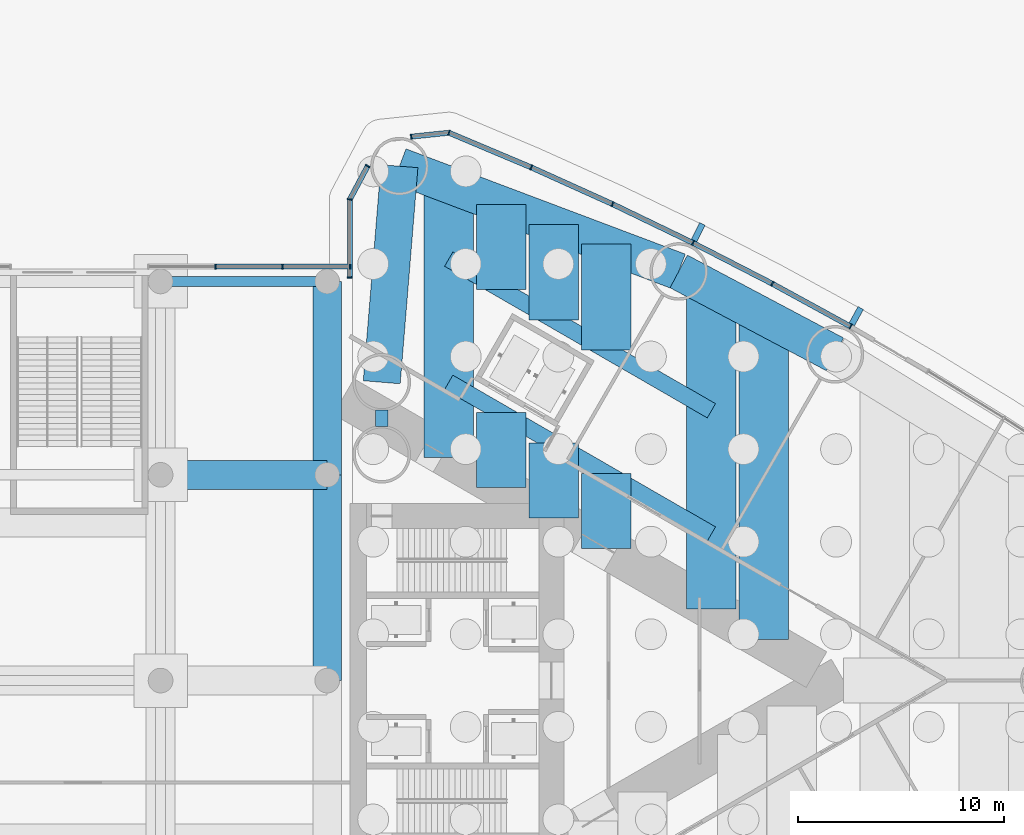
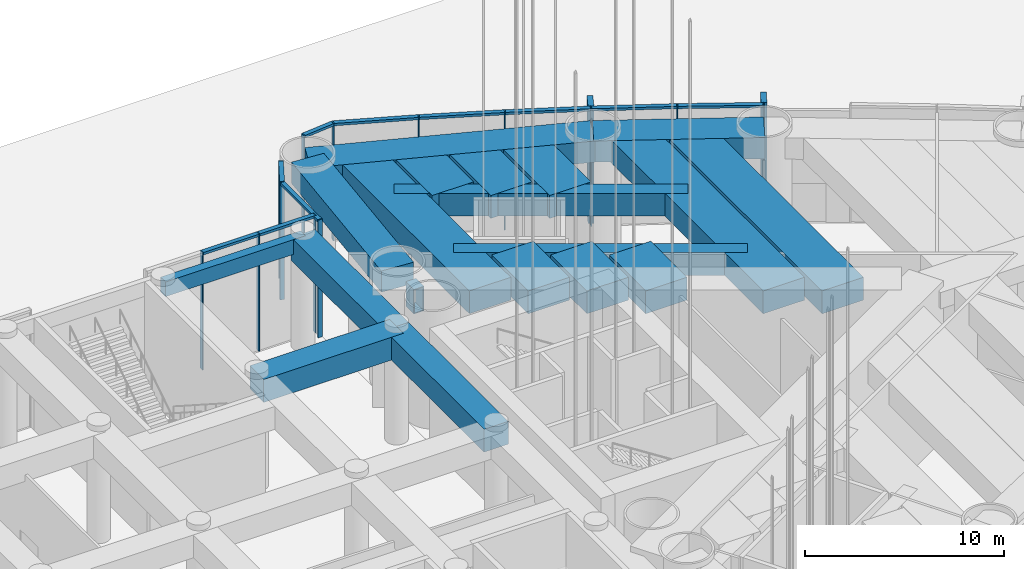
# One storey, part 15 of 43: 25 members, 19 beams, 3 elements without a shape of their own.
"""IFC4 building model written with IfcOpenShell, lengths in metres."""

from ifc_helpers import new_model, si_unit, direction, frame, origin, origin_2d, place, context, subcontext, project, spatial, rectangle, hollow_rectangle, extrude, material, material_profile, profile_set, type_object, element, aggregate, save


model = new_model("IFC4")

# Units and contexts
model_context = context("Model", 3, precision=1e-05, world=origin(), true_north=direction((0.0, 1.0)))
body_context = subcontext(model_context, "Body", "Model", "MODEL_VIEW")
ifc_project = project(units=[si_unit("LENGTHUNIT", "METRE"), si_unit("AREAUNIT", "SQUARE_METRE"), si_unit("VOLUMEUNIT", "CUBIC_METRE"), si_unit("PLANEANGLEUNIT", "RADIAN"), si_unit("MASSUNIT", "GRAM", prefix="KILO")], contexts=[model_context])

# Site, building, storey
site_placement = place(None, origin())
site = spatial("IfcSite", under=ifc_project, at=site_placement, CompositionType="ELEMENT")
building_placement = place(site_placement, origin())
building = spatial("IfcBuilding", under=site, at=building_placement, Name="Lancet Gate Hotel", CompositionType="ELEMENT")
storey_placement = place(building_placement, origin())
storey = spatial("IfcBuildingStorey", under=building, at=storey_placement, Name="L00", CompositionType="ELEMENT", Elevation=0.0)

# Curtain wall, members
ifc_material_1 = material(Name="Aluminium curtain wall", Category="aluminium")
curtain_wall_type = type_object("IfcCurtainWallType", Name="Podium curtain wall", PredefinedType="USERDEFINED", material=ifc_material_1)
curtain_wall_1_placement = place(storey_placement, origin())
curtain_wall_1 = element("IfcCurtainWall", 1, at=curtain_wall_1_placement, inside=storey, type_object=curtain_wall_type, Name="T2 L00 curtain wall 5", ObjectType="UNITISED CURTAIN WALL", PredefinedType="USERDEFINED")
ifc_material_2 = material(Name="Aluminium mullion", Category="aluminium")
ifc_material_profile_1 = material_profile(ifc_material_2, rectangle(XDim=0.06494140625, YDim=0.25, at=origin_2d()), Name="MULLION 65x250")
ifc_profile_set_1 = profile_set([ifc_material_profile_1], Name="Aluminium mullion")
member_type_1 = type_object("IfcMemberType", Name="Aluminium mullion 65x250", PredefinedType="MULLION", material=ifc_profile_set_1)
member_1_placement = place(storey_placement, frame((51.838623046875, 17.208740234375, 0.0), z_axis=(0.0, 0.0, 1.0), x_axis=(-0.877368015134, 0.47981805512, 0.0)))
member_1 = element("IfcMember", 2, at=member_1_placement, type_object=member_type_1, Name="T2 L00 curtain wall 5 mullion 1", PredefinedType="MULLION", context=body_context, shape_type="SweptSolid", body=[
    extrude(rectangle(XDim=0.06494140625, YDim=0.25, at=origin_2d()), origin(), (0.0, 0.0, 1.0), 7.199951171875),
])
member_2_placement = place(storey_placement, frame((48.03271484375, 19.2900390625, 0.0), z_axis=(0.0, 0.0, 1.0), x_axis=(-0.88340346743, 0.468613181347, 0.0)))
member_2 = element("IfcMember", 3, at=member_2_placement, type_object=member_type_1, Name="T2 L00 curtain wall 5 mullion 2", PredefinedType="MULLION", context=body_context, shape_type="SweptSolid", body=[
    extrude(rectangle(XDim=0.06494140625, YDim=0.25, at=origin_2d()), origin(), (0.0, 0.0, 1.0), 7.199951171875),
])
member_3_placement = place(storey_placement, frame((44.17529296875, 21.273681640625, 0.0), z_axis=(0.0, 0.0, 1.0), x_axis=(-0.895044147438, 0.445977548917, 0.0)))
member_3 = element("IfcMember", 4, at=member_3_placement, type_object=member_type_1, Name="T2 L00 curtain wall 5 mullion 3", PredefinedType="MULLION", context=body_context, shape_type="SweptSolid", body=[
    extrude(rectangle(XDim=0.06494140625, YDim=0.25, at=origin_2d()), origin(), (0.0, 0.0, 1.0), 7.199951171875),
])
member_4_placement = place(storey_placement, frame((40.2685546875, 23.15869140625, 0.0), z_axis=(0.0, 0.0, 1.0), x_axis=(-0.906104948671, 0.423052977762, 0.0)))
member_4 = element("IfcMember", 5, at=member_4_placement, type_object=member_type_1, Name="T2 L00 curtain wall 5 mullion 4", PredefinedType="MULLION", context=body_context, shape_type="SweptSolid", body=[
    extrude(rectangle(XDim=0.06494140625, YDim=0.25, at=origin_2d()), origin(), (0.0, 0.0, 1.0), 7.199951171875),
])
member_5_placement = place(storey_placement, frame((36.31494140625, 24.943603515625, 0.0), z_axis=(0.0, 0.0, 1.0), x_axis=(-0.916578705089, 0.399854320193, 0.0)))
member_5 = element("IfcMember", 6, at=member_5_placement, type_object=member_type_1, Name="T2 L00 curtain wall 5 mullion 5", PredefinedType="MULLION", context=body_context, shape_type="SweptSolid", body=[
    extrude(rectangle(XDim=0.06494140625, YDim=0.25, at=origin_2d()), origin(), (0.0, 0.0, 1.0), 7.199951171875),
])
member_6_placement = place(storey_placement, frame((32.3173828125, 26.62744140625, 0.0), z_axis=(0.0, 0.0, 1.0), x_axis=(-0.968721492963, 0.248150496819, 0.0)))
member_6 = element("IfcMember", 7, at=member_6_placement, type_object=member_type_1, Name="T2 L00 curtain wall 5 mullion 6", PredefinedType="MULLION", context=body_context, shape_type="SweptSolid", body=[
    extrude(rectangle(XDim=0.06494140625, YDim=0.25, at=origin_2d()), origin(), (0.0, 0.0, 1.0), 7.199951171875),
])
member_7_placement = place(storey_placement, frame((30.48388671875, 26.4375, 0.0), z_axis=(0.0, 0.0, 1.0), x_axis=(-0.994672262412, -0.10308778001, 0.0)))
member_7 = element("IfcMember", 8, at=member_7_placement, type_object=member_type_1, Name="T2 L00 curtain wall 5 mullion 7", PredefinedType="MULLION", context=body_context, shape_type="SweptSolid", body=[
    extrude(rectangle(XDim=0.06494140625, YDim=0.25, at=origin_2d()), origin(), (0.0, 0.0, 1.0), 7.199951171875),
])

curtain_wall_2_placement = place(storey_placement, origin())
curtain_wall_2 = element("IfcCurtainWall", 9, at=curtain_wall_2_placement, inside=storey, type_object=curtain_wall_type, Name="T2 L00 curtain wall 6", ObjectType="UNITISED CURTAIN WALL", PredefinedType="USERDEFINED")
member_8_placement = place(storey_placement, frame((28.366455078125, 25.012451171875, 0.0), z_axis=(0.0, 0.0, 1.0), x_axis=(-0.469897827284, -0.882720811987, 0.0)))
member_8 = element("IfcMember", 10, at=member_8_placement, type_object=member_type_1, Name="T2 L00 curtain wall 6 mullion 1", PredefinedType="MULLION", context=body_context, shape_type="SweptSolid", body=[
    extrude(rectangle(XDim=0.06494140625, YDim=0.25, at=origin_2d()), origin(), (0.0, 0.0, 1.0), 7.199951171875),
])
member_9_placement = place(storey_placement, frame((27.5, 23.384765625, 0.0), z_axis=(0.0, 0.0, 1.0), x_axis=(-0.157751691459, -0.987478811844, 0.0)))
member_9 = element("IfcMember", 11, at=member_9_placement, type_object=member_type_1, Name="T2 L00 curtain wall 6 mullion 2", PredefinedType="MULLION", context=body_context, shape_type="SweptSolid", body=[
    extrude(rectangle(XDim=0.06494140625, YDim=0.25, at=origin_2d()), origin(), (0.0, 0.0, 1.0), 7.199951171875),
])
member_10_placement = place(storey_placement, frame((27.5, 19.588623046875, 0.0), z_axis=(0.0, 0.0, 1.0), x_axis=(0.0, -1.0, 0.0)))
member_10 = element("IfcMember", 12, at=member_10_placement, type_object=member_type_1, Name="T2 L00 curtain wall 6 mullion 3", PredefinedType="MULLION", context=body_context, shape_type="SweptSolid", body=[
    extrude(rectangle(XDim=0.06494140625, YDim=0.25, at=origin_2d()), origin(), (0.0, 0.0, 1.0), 7.199951171875),
])

curtain_wall_3_placement = place(storey_placement, origin())
curtain_wall_3 = element("IfcCurtainWall", 13, at=curtain_wall_3_placement, inside=storey, type_object=curtain_wall_type, Name="Podium L00 curtain wall N4", ObjectType="UNITISED CURTAIN WALL", PredefinedType="USERDEFINED")
member_11_placement = place(storey_placement, frame((27.5, 20.1201171875, 0.0), z_axis=(0.0, 0.0, 1.0), x_axis=(-1.0, 0.0, 0.0)))
member_11 = element("IfcMember", 14, at=member_11_placement, type_object=member_type_1, Name="Podium L00 curtain wall N4 mullion 1", PredefinedType="MULLION", context=body_context, shape_type="SweptSolid", body=[
    extrude(rectangle(XDim=0.06494140625, YDim=0.25, at=origin_2d()), origin(), (0.0, 0.0, 1.0), 7.199951171875),
])
member_12_placement = place(storey_placement, frame((24.2333984375, 20.1201171875, 0.0), z_axis=(0.0, 0.0, 1.0), x_axis=(-1.0, 0.0, 0.0)))
member_12 = element("IfcMember", 15, at=member_12_placement, type_object=member_type_1, Name="Podium L00 curtain wall N4 mullion 2", PredefinedType="MULLION", context=body_context, shape_type="SweptSolid", body=[
    extrude(rectangle(XDim=0.06494140625, YDim=0.25, at=origin_2d()), origin(), (0.0, 0.0, 1.0), 7.199951171875),
])
member_13_placement = place(storey_placement, frame((20.966552734375, 20.1201171875, 0.0), z_axis=(0.0, 0.0, 1.0), x_axis=(-1.0, 0.0, 0.0)))
member_13 = element("IfcMember", 16, at=member_13_placement, type_object=member_type_1, Name="Podium L00 curtain wall N4 mullion 3", PredefinedType="MULLION", context=body_context, shape_type="SweptSolid", body=[
    extrude(rectangle(XDim=0.06494140625, YDim=0.25, at=origin_2d()), origin(), (0.0, 0.0, 1.0), 7.199951171875),
])

# Member
ifc_material_3 = material(Name="Aluminium transom", Category="aluminium")
ifc_material_profile_2 = material_profile(ifc_material_3, rectangle(XDim=0.25, YDim=0.14990234375, at=origin_2d()), Name="TRANSOM 250x150")
ifc_profile_set_2 = profile_set([ifc_material_profile_2], Name="Aluminium transom")
member_type_2 = type_object("IfcMemberType", Name="Aluminium transom 250x150", PredefinedType="USERDEFINED", material=ifc_profile_set_2)
member_14_placement = place(storey_placement, frame((51.81005859375, 17.224365234375, 7.125), z_axis=(-0.877377528879, 0.479800658417, 0.0), x_axis=(-0.479800658417, -0.877377528879, 0.0)))
member_14 = element("IfcMember", 17, at=member_14_placement, type_object=member_type_2, Name="T2 L00 curtain wall 5 transom 1", ObjectType="TRANSOM", PredefinedType="USERDEFINED", context=body_context, shape_type="SweptSolid", body=[
    extrude(rectangle(XDim=0.25, YDim=0.14990234375, at=origin_2d()), origin(), (0.0, 0.0, 1.0), 4.272705078125),
])

member_15_placement = place(storey_placement, frame((48.00390625, 19.304931640625, 7.125), z_axis=(-0.88929576978, 0.457332520002, 0.0), x_axis=(-0.457332520002, -0.88929576978, 0.0)))
member_15 = element("IfcMember", 18, at=member_15_placement, type_object=member_type_2, Name="T2 L00 curtain wall 5 transom 2", ObjectType="TRANSOM", PredefinedType="USERDEFINED", context=body_context, shape_type="SweptSolid", body=[
    extrude(rectangle(XDim=0.25, YDim=0.14990234375, at=origin_2d()), origin(), (0.0, 0.0, 1.0), 4.272705078125),
])

member_16_placement = place(storey_placement, frame((44.14599609375, 21.287841796875, 7.125), z_axis=(-0.900646499888, 0.434552508035, 0.0), x_axis=(-0.434552508035, -0.900646499888, 0.0)))
member_16 = element("IfcMember", 19, at=member_16_placement, type_object=member_type_2, Name="T2 L00 curtain wall 5 transom 3", ObjectType="TRANSOM", PredefinedType="USERDEFINED", context=body_context, shape_type="SweptSolid", body=[
    extrude(rectangle(XDim=0.25, YDim=0.14990234375, at=origin_2d()), origin(), (0.0, 0.0, 1.0), 4.272705078125),
])

member_17_placement = place(storey_placement, frame((40.23876953125, 23.172119140625, 7.125), z_axis=(-0.911396871737, 0.411528543589, 0.0), x_axis=(-0.411528543589, -0.911396871737, 0.0)))
member_17 = element("IfcMember", 20, at=member_17_placement, type_object=member_type_2, Name="T2 L00 curtain wall 5 transom 4", ObjectType="TRANSOM", PredefinedType="USERDEFINED", context=body_context, shape_type="SweptSolid", body=[
    extrude(rectangle(XDim=0.25, YDim=0.14990234375, at=origin_2d()), origin(), (0.0, 0.0, 1.0), 4.272705078125),
])

member_18_placement = place(storey_placement, frame((36.28515625, 24.956298828125, 7.125), z_axis=(-0.92159772617, 0.388146404233, 0.0), x_axis=(-0.388146404233, -0.92159772617, 0.0)))
member_18 = element("IfcMember", 21, at=member_18_placement, type_object=member_type_2, Name="T2 L00 curtain wall 5 transom 5", ObjectType="TRANSOM", PredefinedType="USERDEFINED", context=body_context, shape_type="SweptSolid", body=[
    extrude(rectangle(XDim=0.25, YDim=0.14990234375, at=origin_2d()), origin(), (0.0, 0.0, 1.0), 4.272705078125),
])

member_19_placement = place(storey_placement, frame((32.28515625, 26.6240234375, 7.125), z_axis=(-0.994670452051, -0.103105246306, 0.0), x_axis=(0.103105246306, -0.994670452051, 0.0)))
member_19 = element("IfcMember", 22, at=member_19_placement, type_object=member_type_2, Name="T2 L00 curtain wall 5 transom 6", ObjectType="TRANSOM", PredefinedType="USERDEFINED", context=body_context, shape_type="SweptSolid", body=[
    extrude(rectangle(XDim=0.25, YDim=0.14990234375, at=origin_2d()), origin(), (0.0, 0.0, 1.0), 1.7783203125),
])

member_20_placement = place(storey_placement, frame((28.351318359375, 24.98388671875, 7.125), z_axis=(-0.469904276347, -0.882717378933, 0.0), x_axis=(0.882717378933, -0.469904276347, 0.0)))
member_20 = element("IfcMember", 23, at=member_20_placement, type_object=member_type_2, Name="T2 L00 curtain wall 6 transom 1", ObjectType="TRANSOM", PredefinedType="USERDEFINED", context=body_context, shape_type="SweptSolid", body=[
    extrude(rectangle(XDim=0.25, YDim=0.14990234375, at=origin_2d()), origin(), (0.0, 0.0, 1.0), 1.779052734375),
])

member_21_placement = place(storey_placement, frame((27.5, 23.352294921875, 7.125), z_axis=(0.0, -1.0, 0.0), x_axis=(1.0, 0.0, 0.0)))
member_21 = element("IfcMember", 24, at=member_21_placement, type_object=member_type_2, Name="T2 L00 curtain wall 6 transom 2", ObjectType="TRANSOM", PredefinedType="USERDEFINED", context=body_context, shape_type="SweptSolid", body=[
    extrude(rectangle(XDim=0.25, YDim=0.14990234375, at=origin_2d()), origin(), (0.0, 0.0, 1.0), 3.731201171875),
])

aggregate(curtain_wall_2, [member_8, member_9, member_10, member_20, member_21])

member_22_placement = place(storey_placement, frame((27.467529296875, 20.1201171875, 7.125), z_axis=(-1.0, 0.0, 0.0), x_axis=(0.0, -1.0, 0.0)))
member_22 = element("IfcMember", 25, at=member_22_placement, type_object=member_type_2, Name="Podium L00 curtain wall N4 transom 1", ObjectType="TRANSOM", PredefinedType="USERDEFINED", context=body_context, shape_type="SweptSolid", body=[
    extrude(rectangle(XDim=0.25, YDim=0.14990234375, at=origin_2d()), origin(), (0.0, 0.0, 1.0), 3.20166015625),
])

member_23_placement = place(storey_placement, frame((24.200927734375, 20.1201171875, 7.125), z_axis=(-1.0, 0.0, 0.0), x_axis=(0.0, -1.0, 0.0)))
member_23 = element("IfcMember", 26, at=member_23_placement, type_object=member_type_2, Name="Podium L00 curtain wall N4 transom 2", ObjectType="TRANSOM", PredefinedType="USERDEFINED", context=body_context, shape_type="SweptSolid", body=[
    extrude(rectangle(XDim=0.25, YDim=0.14990234375, at=origin_2d()), origin(), (0.0, 0.0, 1.0), 3.20166015625),
])

aggregate(curtain_wall_3, [member_11, member_12, member_13, member_22, member_23])

# Beams
ifc_material_4 = material(Name="Concrete C50/60", Category="concrete")
ifc_material_profile_3 = material_profile(ifc_material_4, rectangle(XDim=1.800048828125, YDim=1.300048828125, at=origin_2d()), Name="RC 1800x1300")
ifc_profile_set_3 = profile_set([ifc_material_profile_3], Name="Concrete C50/60")
beam_type_1 = type_object("IfcBeamType", Name="Edge beam RC 1800x1300", PredefinedType="SPANDREL", material=ifc_profile_set_3)
beam_1_placement = place(storey_placement, frame((51.07763671875, 15.8583984375, 6.199951171875), z_axis=(-0.883403493655, 0.46861313191, 0.0), x_axis=(-0.46861313191, -0.883403493655, 0.0)))
element("IfcBeam", 27, at=beam_1_placement, inside=storey, type_object=beam_type_1, Name="T2 edge beam EB1 L00", PredefinedType="SPANDREL", context=body_context, shape_type="SweptSolid", body=[
    extrude(rectangle(XDim=1.800048828125, YDim=1.300048828125, at=origin_2d()), origin(), (0.0, 0.0, 1.0), 8.595703125),
])
beam_2_placement = place(storey_placement, frame((43.484130859375, 19.886474609375, 6.199951171875), z_axis=(-0.935736448066, 0.352700013836, 0.0), x_axis=(-0.352700013836, -0.935736448066, 0.0)))
element("IfcBeam", 28, at=beam_2_placement, inside=storey, type_object=beam_type_1, Name="T2 edge beam EB1 L00", PredefinedType="SPANDREL", context=body_context, shape_type="SweptSolid", body=[
    extrude(rectangle(XDim=1.800048828125, YDim=1.300048828125, at=origin_2d()), origin(), (0.0, 0.0, 1.0), 14.505126953125),
])
beam_3_placement = place(storey_placement, frame((29.050048828125, 14.5, 6.199951171875), z_axis=(0.081714744052, 0.996655758326, 0.0), x_axis=(-0.996655758326, 0.081714744052, 0.0)))
element("IfcBeam", 29, at=beam_3_placement, inside=storey, type_object=beam_type_1, Name="T2 edge beam EB1 L00", PredefinedType="SPANDREL", context=body_context, shape_type="SweptSolid", body=[
    extrude(rectangle(XDim=1.800048828125, YDim=1.300048828125, at=origin_2d()), origin(), (0.0, 0.0, 1.0), 10.53759765625),
])

# Member
ifc_material_5 = material(Name="Precast concrete C50/60", Category="concrete")
ifc_material_profile_4 = material_profile(ifc_material_5, rectangle(XDim=0.300048828125, YDim=0.89990234375, at=origin_2d()), Name="FIN 300x900")
ifc_profile_set_4 = profile_set([ifc_material_profile_4], Name="Precast concrete C50/60")
member_type_3 = type_object("IfcMemberType", Name="Exposed concrete fin 300x900", PredefinedType="USERDEFINED", material=ifc_profile_set_4)
member_24_placement = place(storey_placement, frame((52.114501953125, 17.713134765625, 0.0), z_axis=(0.0, 0.0, 1.0), x_axis=(-0.877368015134, 0.47981805512, 0.0)))
member_24 = element("IfcMember", 30, at=member_24_placement, type_object=member_type_3, Name="T2 L00 curtain wall 5 fin 1", ObjectType="FIN", PredefinedType="USERDEFINED", context=body_context, shape_type="SweptSolid", body=[
    extrude(rectangle(XDim=0.300048828125, YDim=0.89990234375, at=origin_2d()), origin(), (0.0, 0.0, 1.0), 7.199951171875),
])

member_25_placement = place(storey_placement, frame((44.431640625, 21.788330078125, 0.0), z_axis=(0.0, 0.0, 1.0), x_axis=(-0.895044147438, 0.445977548917, 0.0)))
member_25 = element("IfcMember", 31, at=member_25_placement, type_object=member_type_3, Name="T2 L00 curtain wall 5 fin 3", ObjectType="FIN", PredefinedType="USERDEFINED", context=body_context, shape_type="SweptSolid", body=[
    extrude(rectangle(XDim=0.300048828125, YDim=0.89990234375, at=origin_2d()), origin(), (0.0, 0.0, 1.0), 7.199951171875),
])

aggregate(curtain_wall_1, [member_1, member_24, member_2, member_3, member_25, member_4, member_5, member_6, member_7, member_14, member_15, member_16, member_17, member_18, member_19])

# Beams
ifc_material_6 = material(Name="Concrete C50/60", Category="concrete")
ifc_material_profile_5 = material_profile(ifc_material_6, rectangle(XDim=2.39990234375, YDim=1.39990234375, at=origin_2d()), Name="RC 2400x1400")
ifc_profile_set_5 = profile_set([ifc_material_profile_5], Name="Concrete C50/60")
beam_type_2 = type_object("IfcBeamType", Name="Floor beam RC 2400x1400", PredefinedType="BEAM", material=ifc_profile_set_5)
beam_4_placement = place(storey_placement, frame((32.306396484375, 10.851806640625, 6.14990234375), z_axis=(0.0, 1.0, 0.0), x_axis=(-1.0, 0.0, 0.0)))
element("IfcBeam", 32, at=beam_4_placement, inside=storey, type_object=beam_type_2, Name="T2 floor beam F04N L00", PredefinedType="BEAM", context=body_context, shape_type="SweptSolid", body=[
    extrude(rectangle(XDim=2.39990234375, YDim=1.39990234375, at=origin_2d()), origin(), (0.0, 0.0, 1.0), 13.247802734375),
])
beam_5_placement = place(storey_placement, frame((45.072265625, 3.4814453125, 6.14990234375), z_axis=(0.0, 1.0, 0.0), x_axis=(-1.0, 0.0, 0.0)))
element("IfcBeam", 33, at=beam_5_placement, inside=storey, type_object=beam_type_2, Name="T2 floor beam F12N L00", PredefinedType="BEAM", context=body_context, shape_type="SweptSolid", body=[
    extrude(rectangle(XDim=2.39990234375, YDim=1.39990234375, at=origin_2d()), origin(), (0.0, 0.0, 1.0), 15.5625),
])
beam_6_placement = place(storey_placement, frame((47.62548828125, 2.00732421875, 6.14990234375), z_axis=(0.0, 1.0, 0.0), x_axis=(-1.0, 0.0, 0.0)))
element("IfcBeam", 34, at=beam_6_placement, inside=storey, type_object=beam_type_2, Name="T2 floor beam F14N L00", PredefinedType="BEAM", context=body_context, shape_type="SweptSolid", body=[
    extrude(rectangle(XDim=2.39990234375, YDim=1.39990234375, at=origin_2d()), origin(), (0.0, 0.0, 1.0), 15.68212890625),
])
beam_7_placement = place(storey_placement, frame((34.859619140625, 9.377685546875, 6.14990234375), z_axis=(0.0, 1.0, 0.0), x_axis=(-1.0, 0.0, 0.0)))
element("IfcBeam", 35, at=beam_7_placement, inside=storey, type_object=beam_type_2, Name="T2 floor beam F06NA L00", PredefinedType="BEAM", context=body_context, shape_type="SweptSolid", body=[
    extrude(rectangle(XDim=2.39990234375, YDim=1.39990234375, at=origin_2d()), origin(), (0.0, 0.0, 1.0), 3.645751953125),
])
beam_8_placement = place(storey_placement, frame((34.859619140625, 19.011474609375, 6.14990234375), z_axis=(0.0, 1.0, 0.0), x_axis=(-1.0, 0.0, 0.0)))
element("IfcBeam", 36, at=beam_8_placement, inside=storey, type_object=beam_type_2, Name="T2 floor beam F06NB L00", PredefinedType="BEAM", context=body_context, shape_type="SweptSolid", body=[
    extrude(rectangle(XDim=2.39990234375, YDim=1.39990234375, at=origin_2d()), origin(), (0.0, 0.0, 1.0), 4.125732421875),
])
beam_9_placement = place(storey_placement, frame((37.412841796875, 7.903564453125, 6.14990234375), z_axis=(0.0, 1.0, 0.0), x_axis=(-1.0, 0.0, 0.0)))
element("IfcBeam", 37, at=beam_9_placement, inside=storey, type_object=beam_type_2, Name="T2 floor beam F08NA L00", PredefinedType="BEAM", context=body_context, shape_type="SweptSolid", body=[
    extrude(rectangle(XDim=2.39990234375, YDim=1.39990234375, at=origin_2d()), origin(), (0.0, 0.0, 1.0), 3.6455078125),
])
beam_10_placement = place(storey_placement, frame((37.412841796875, 17.537109375, 6.14990234375), z_axis=(0.0, 1.0, 0.0), x_axis=(-1.0, 0.0, 0.0)))
element("IfcBeam", 38, at=beam_10_placement, inside=storey, type_object=beam_type_2, Name="T2 floor beam F08NB L00", PredefinedType="BEAM", context=body_context, shape_type="SweptSolid", body=[
    extrude(rectangle(XDim=2.39990234375, YDim=1.39990234375, at=origin_2d()), origin(), (0.0, 0.0, 1.0), 4.6376953125),
])
beam_11_placement = place(storey_placement, frame((39.9658203125, 6.429443359375, 6.14990234375), z_axis=(0.0, 1.0, 0.0), x_axis=(-1.0, 0.0, 0.0)))
element("IfcBeam", 39, at=beam_11_placement, inside=storey, type_object=beam_type_2, Name="T2 floor beam F10NA L00", PredefinedType="BEAM", context=body_context, shape_type="SweptSolid", body=[
    extrude(rectangle(XDim=2.39990234375, YDim=1.39990234375, at=origin_2d()), origin(), (0.0, 0.0, 1.0), 3.64501953125),
])
beam_12_placement = place(storey_placement, frame((39.9658203125, 16.062744140625, 6.14990234375), z_axis=(0.0, 1.0, 0.0), x_axis=(-1.0, 0.0, 0.0)))
element("IfcBeam", 40, at=beam_12_placement, inside=storey, type_object=beam_type_2, Name="T2 floor beam F10NB L00", PredefinedType="BEAM", context=body_context, shape_type="SweptSolid", body=[
    extrude(rectangle(XDim=2.39990234375, YDim=1.39990234375, at=origin_2d()), origin(), (0.0, 0.0, 1.0), 5.14990234375),
])
ifc_material_7 = material(Name="Steel S460QL", Category="steel")
ifc_material_profile_6 = material_profile(ifc_material_7, hollow_rectangle(XDim=0.60009765625, YDim=1.5, WallThickness=0.050048828125, at=origin_2d()), Name="BOX 1500x600x50")
ifc_profile_set_6 = profile_set([ifc_material_profile_6], Name="Steel S460QL")
beam_type_3 = type_object("IfcBeamType", Name="Inner-face link beam BOX 1500x600x50", PredefinedType="BEAM", material=ifc_profile_set_6)
beam_13_placement = place(storey_placement, frame((29.050048828125, 12.35009765625, 6.10009765625), z_axis=(0.0, 1.0, 0.0), x_axis=(-1.0, 0.0, 0.0)))
element("IfcBeam", 41, at=beam_13_placement, inside=storey, type_object=beam_type_3, Name="T2 inner-face link beam LK1 L00", PredefinedType="BEAM", context=body_context, shape_type="SweptSolid", body=[
    extrude(hollow_rectangle(XDim=0.60009765625, YDim=1.5, WallThickness=0.050048828125, at=origin_2d()), origin(), (0.0, 0.0, 1.0), 0.7998046875),
])
ifc_material_8 = material(Name="Concrete C50/60", Category="concrete")
ifc_material_profile_7 = material_profile(ifc_material_8, rectangle(XDim=1.39990234375, YDim=1.39990234375, at=origin_2d()), Name="RC 1400x1400")
ifc_profile_set_7 = profile_set([ifc_material_profile_7], Name="Concrete C50/60")
beam_type_4 = type_object("IfcBeamType", Name="Podium beam RC 1400x1400", PredefinedType="BEAM", material=ifc_profile_set_7)
beam_14_placement = place(storey_placement, frame((18.300048828125, 10.0, 6.14990234375), z_axis=(1.0, 0.0, 0.0), x_axis=(0.0, 1.0, 0.0)))
element("IfcBeam", 42, at=beam_14_placement, inside=storey, type_object=beam_type_4, Name="Podium beam D/6-7 L00", PredefinedType="BEAM", context=body_context, shape_type="SweptSolid", body=[
    extrude(rectangle(XDim=1.39990234375, YDim=1.39990234375, at=origin_2d()), origin(), (0.0, 0.0, 1.0), 8.099853515625),
])
beam_15_placement = place(storey_placement, frame((26.39990234375, 0.0, 6.14990234375), z_axis=(0.0, 1.0, 0.0), x_axis=(-1.0, 0.0, 0.0)))
element("IfcBeam", 43, at=beam_15_placement, inside=storey, type_object=beam_type_4, Name="Podium beam 7/C-D L00", PredefinedType="BEAM", context=body_context, shape_type="SweptSolid", body=[
    extrude(rectangle(XDim=1.39990234375, YDim=1.39990234375, at=origin_2d()), origin(), (0.0, 0.0, 1.0), 10.0),
])
beam_16_placement = place(storey_placement, frame((26.39990234375, 10.0, 6.14990234375), z_axis=(0.0, 1.0, 0.0), x_axis=(-1.0, 0.0, 0.0)))
element("IfcBeam", 44, at=beam_16_placement, inside=storey, type_object=beam_type_4, Name="Podium beam 7/D-E L00", PredefinedType="BEAM", context=body_context, shape_type="SweptSolid", body=[
    extrude(rectangle(XDim=1.39990234375, YDim=1.39990234375, at=origin_2d()), origin(), (0.0, 0.0, 1.0), 9.39990234375),
])
ifc_material_9 = material(Name="Concrete C50/60", Category="concrete")
ifc_material_profile_8 = material_profile(ifc_material_9, rectangle(XDim=0.5, YDim=0.89990234375, at=origin_2d()), Name="RC 500x900")
ifc_profile_set_8 = profile_set([ifc_material_profile_8], Name="Concrete C50/60")
beam_type_5 = type_object("IfcBeamType", Name="Podium edge beam RC 500x900", PredefinedType="BEAM", material=ifc_profile_set_8)
beam_17_placement = place(storey_placement, frame((18.300048828125, 19.39990234375, 6.39990234375), z_axis=(1.0, 0.0, 0.0), x_axis=(0.0, 1.0, 0.0)))
element("IfcBeam", 45, at=beam_17_placement, inside=storey, type_object=beam_type_5, Name="Podium beam E/6-7 L00", PredefinedType="BEAM", context=body_context, shape_type="SweptSolid", body=[
    extrude(rectangle(XDim=0.5, YDim=0.89990234375, at=origin_2d()), origin(), (0.0, 0.0, 1.0), 8.099853515625),
])
ifc_material_10 = material(Name="Steel S460QL", Category="steel")
ifc_material_profile_9 = material_profile(ifc_material_10, hollow_rectangle(XDim=0.800048828125, YDim=1.39990234375, WallThickness=0.080078125, at=origin_2d()), Name="BOX 1400x800x80")
ifc_profile_set_9 = profile_set([ifc_material_profile_9], Name="Steel S460QL")
beam_type_6 = type_object("IfcBeamType", Name="Trimmer beam BOX 1400x800x80", PredefinedType="BEAM", material=ifc_profile_set_9)
beam_18_placement = place(storey_placement, frame((32.306396484375, 20.48583984375, 6.14990234375), z_axis=(0.86598286195, -0.500073677381, 0.0), x_axis=(0.500073677381, 0.86598286195, 0.0)))
element("IfcBeam", 46, at=beam_18_placement, inside=storey, type_object=beam_type_6, Name="T2 trimmer beam TR03N L00", PredefinedType="BEAM", context=body_context, shape_type="SweptSolid", body=[
    extrude(hollow_rectangle(XDim=0.800048828125, YDim=1.39990234375, WallThickness=0.080078125, at=origin_2d()), origin(), (0.0, 0.0, 1.0), 14.741455078125),
])
beam_19_placement = place(storey_placement, frame((32.306396484375, 14.497802734375, 6.14990234375), z_axis=(0.865975689888, -0.500086097111, 0.0), x_axis=(0.500086097111, 0.865975689888, 0.0)))
element("IfcBeam", 47, at=beam_19_placement, inside=storey, type_object=beam_type_6, Name="T2 trimmer beam TR04N L00", PredefinedType="BEAM", context=body_context, shape_type="SweptSolid", body=[
    extrude(hollow_rectangle(XDim=0.800048828125, YDim=1.39990234375, WallThickness=0.080078125, at=origin_2d()), origin(), (0.0, 0.0, 1.0), 14.74169921875),
])

save(model, "model.ifc")
